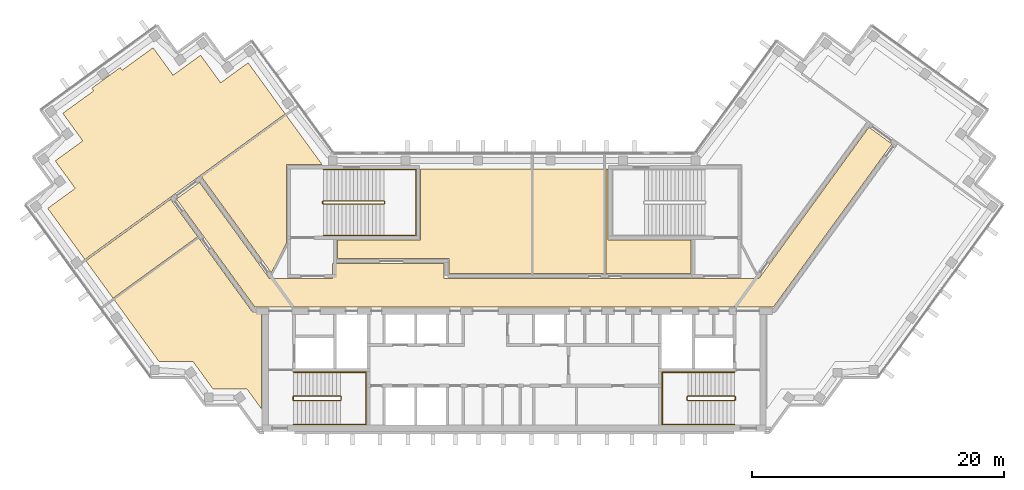
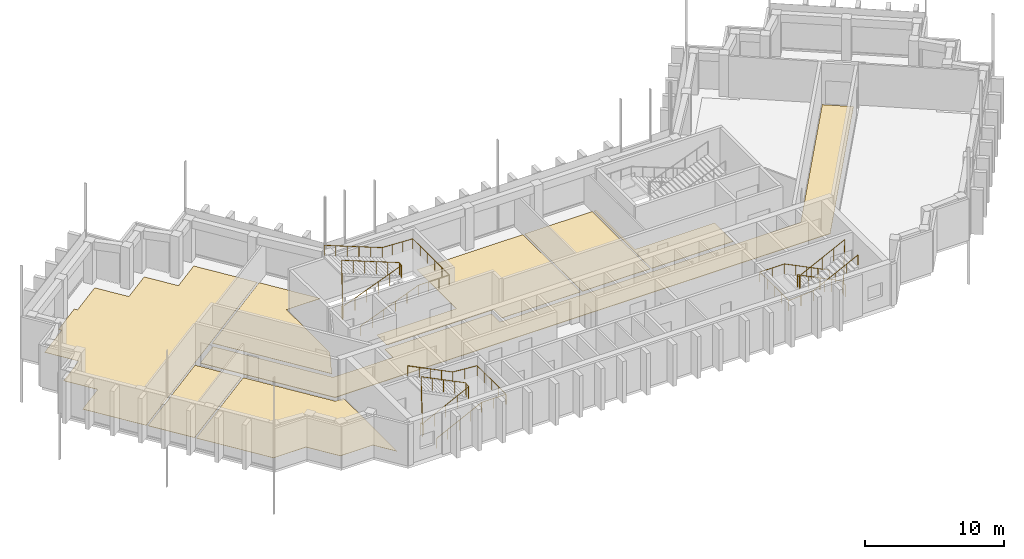
# One storey, part 12 of 13: 8 coverings, 6 railings.
"""IFC4 building model written with IfcOpenShell, lengths in metres."""

from ifc_helpers import new_model, si_unit, direction, frame, origin, origin_2d, place, context, subcontext, project, spatial, polyline, circle, outline, extrude, material, layer, layer_set, type_object, element, save


model = new_model("IFC4")

# Units and contexts
model_context = context("Model", 3, precision=1e-05, world=origin(), true_north=direction((0.0, 1.0)))
body_context = subcontext(model_context, "Body", "Model", "MODEL_VIEW")
ifc_project = project(units=[si_unit("LENGTHUNIT", "METRE"), si_unit("AREAUNIT", "SQUARE_METRE"), si_unit("VOLUMEUNIT", "CUBIC_METRE"), si_unit("PLANEANGLEUNIT", "RADIAN"), si_unit("MASSUNIT", "GRAM", prefix="KILO")], contexts=[model_context])

# Site, building, storey
site_placement = place(None, origin())
site = spatial("IfcSite", under=ifc_project, at=site_placement, CompositionType="ELEMENT")
building_placement = place(site_placement, origin())
building = spatial("IfcBuilding", under=site, at=building_placement, Name="Quipu Civic Tower", CompositionType="ELEMENT")
storey_placement = place(building_placement, frame((0.0, 0.0, 285.0)))
storey = spatial("IfcBuildingStorey", under=building, at=storey_placement, Name="L66", CompositionType="ELEMENT", Elevation=285.0)

# Coverings
ifc_material_1 = material(Name="Carpet tile on raised access floor")
ifc_layer_1 = layer(ifc_material_1, 0.02001953125)
ifc_layer_set_1 = layer_set([ifc_layer_1], Name="Carpet tile on raised access floor")
covering_type_1 = type_object("IfcCoveringType", Name="Carpet tile floor finish 20", PredefinedType="FLOORING", material=ifc_layer_set_1)
covering_1_placement = place(storey_placement, origin())
element("IfcCovering", 1, at=covering_1_placement, inside=storey, type_object=covering_type_1, Name="Carpet tile floor finish 20", PredefinedType="FLOORING", context=body_context, shape_type="SweptSolid", body=[
    extrude(outline(polyline([(-24.81201171875, 9.2109375), (-18.089111328125, 14.093994140625), (-15.238037109375, 10.169921875), (-18.070068359375, 10.1689453125), (-18.070068359375, 3.94189453125), (-19.27197265625, 1.583984375), (-24.81201171875, 9.2109375)])), origin(), (0.0, 0.0, 1.0), 0.02001953125),
])
covering_2_placement = place(storey_placement, origin())
element("IfcCovering", 2, at=covering_2_placement, inside=storey, type_object=covering_type_1, Name="Carpet tile floor finish 20", PredefinedType="FLOORING", context=body_context, shape_type="SweptSolid", body=[
    extrude(outline(polyline([(-31.758056640625, -0.5390625), (-25.034912109375, 4.344970703125), (-20.77490234375, -1.51904296875), (-20.070068359375, -1.52001953125), (-20.070068359375, -9.195068359375), (-21.196044921875, -7.64599609375), (-23.89501953125, -7.64599609375), (-25.48193359375, -5.4619140625), (-28.181884765625, -5.4609375), (-31.758056640625, -0.5390625)])), origin(), (0.0, 0.0, 1.0), 0.02001953125),
])
covering_3_placement = place(storey_placement, origin())
element("IfcCovering", 3, at=covering_3_placement, inside=storey, type_object=covering_type_1, Name="Carpet tile floor finish 20", PredefinedType="FLOORING", context=body_context, shape_type="SweptSolid", body=[
    extrude(outline(polyline([(-14.030029296875, 2.719970703125), (-14.030029296875, 4.179931640625), (-7.430908203125, 4.180908203125), (-7.429931640625, 9.830078125), (1.368896484375, 9.830078125), (1.368896484375, 1.52001953125), (-5.179931640625, 1.52001953125), (-5.181884765625, 2.719970703125), (-14.030029296875, 2.719970703125)])), origin(), (0.0, 0.0, 1.0), 0.02001953125),
])
covering_4_placement = place(storey_placement, origin())
element("IfcCovering", 4, at=covering_4_placement, inside=storey, type_object=covering_type_1, Name="Carpet tile floor finish 20", PredefinedType="FLOORING", context=body_context, shape_type="SweptSolid", body=[
    extrude(outline(polyline([(-37.02197265625, 6.7060546875), (-34.839111328125, 8.291015625), (-36.425048828125, 10.47607421875), (-34.240966796875, 12.06396484375), (-35.826904296875, 14.248046875), (-33.3701171875, 16.032958984375), (-33.52197265625, 16.2451171875), (-31.27099609375, 17.8798828125), (-31.116943359375, 17.6708984375), (-28.658935546875, 19.455078125), (-27.073974609375, 17.27197265625), (-24.887939453125, 18.85791015625), (-23.301025390625, 16.675048828125), (-21.116943359375, 18.260986328125), (-18.172119140625, 14.20703125), (-34.077880859375, 2.652099609375), (-37.02197265625, 6.7060546875)])), origin(), (0.0, 0.0, 1.0), 0.02001953125),
])
ifc_material_2 = material(Name="Ceramic floor tile")
ifc_layer_2 = layer(ifc_material_2, 0.030029296875)
ifc_layer_set_2 = layer_set([ifc_layer_2], Name="Ceramic floor tile")
covering_type_2 = type_object("IfcCoveringType", Name="Ceramic tile floor finish 30", PredefinedType="FLOORING", material=ifc_layer_set_2)
covering_5_placement = place(storey_placement, origin())
element("IfcCovering", 5, at=covering_5_placement, inside=storey, type_object=covering_type_2, Name="Ceramic tile floor finish 30", PredefinedType="FLOORING", context=body_context, shape_type="SweptSolid", body=[
    extrude(outline(polyline([(1.510009765625, 9.830078125), (7.1279296875, 9.830078125), (7.1279296875, 1.52001953125), (1.510009765625, 1.52001953125), (1.510009765625, 9.830078125)])), origin(), (0.0, 0.0, 1.0), 0.030029296875),
])
covering_6_placement = place(storey_placement, origin())
element("IfcCovering", 6, at=covering_6_placement, inside=storey, type_object=covering_type_2, Name="Ceramic tile floor finish 30", PredefinedType="FLOORING", context=body_context, shape_type="SweptSolid", body=[
    extrude(outline(polyline([(7.26806640625, 1.52001953125), (7.26806640625, 9.830078125), (7.429931640625, 9.830078125), (7.429931640625, 4.180908203125), (14.030029296875, 4.179931640625), (14.030029296875, 1.52001953125), (7.26806640625, 1.52001953125)])), origin(), (0.0, 0.0, 1.0), 0.030029296875),
])
covering_7_placement = place(storey_placement, origin())
element("IfcCovering", 7, at=covering_7_placement, inside=storey, type_object=covering_type_2, Name="Ceramic tile floor finish 30", PredefinedType="FLOORING", context=body_context, shape_type="SweptSolid", body=[
    extrude(outline(polyline([(-33.9951171875, 2.5390625), (-27.27197265625, 7.423095703125), (-25.117919921875, 4.4580078125), (-31.841064453125, -0.426025390625), (-33.9951171875, 2.5390625)])), origin(), (0.0, 0.0, 1.0), 0.030029296875),
])

# Railings
ifc_material_3 = material(Name="Stainless steel", Category="steel")
railing_type_1 = type_object("IfcRailingType", Name="Stair guard 1100", PredefinedType="GUARDRAIL", material=ifc_material_3)
railing_1_placement = place(storey_placement, frame((-17.5, -8.550048828125, 0.15380859375)))
element("IfcRailing", 8, at=railing_1_placement, inside=storey, type_object=railing_type_1, Name="Stair 1 guard", PredefinedType="GUARDRAIL", context=body_context, shape_type="SweptSolid", body=[
    extrude(circle(Radius=0.02392578125, at=origin_2d()), frame((0.0, 0.0, 1.076171875), z_axis=(0.895751851347, 0.0, 0.444554407028), x_axis=(0.0, 1.0, 0.0)), (0.0, 0.0, 1.0), 4.15283203125),
    extrude(circle(Radius=0.02392578125, at=origin_2d()), frame((3.719970703125, 0.0, 2.92236328125), z_axis=(0.707106781187, 0.707106781187, 0.0), x_axis=(-0.707106781187, 0.707106781187, 0.0)), (0.0, 0.0, 1.0), 0.07080078125),
    extrude(circle(Radius=0.02392578125, at=origin_2d()), frame((3.77001953125, 0.050048828125, 2.92236328125), z_axis=(0.0, 1.0, 0.0), x_axis=(-1.0, 0.0, 0.0)), (0.0, 0.0, 1.0), 0.25),
    extrude(circle(Radius=0.02392578125, at=origin_2d()), frame((3.77001953125, 0.300048828125, 2.92236328125), z_axis=(-0.295599637079, 0.295599637079, 0.908428152975), x_axis=(-0.707106781187, -0.707106781187, 0.0)), (0.0, 0.0, 1.0), 0.16943359375),
    extrude(circle(Radius=0.02392578125, at=origin_2d()), frame((3.719970703125, 0.35009765625, 3.076171875), z_axis=(-0.895751851347, 0.0, 0.444554407028), x_axis=(0.0, -1.0, 0.0)), (0.0, 0.0, 1.0), 4.15283203125),
    extrude(circle(Radius=0.02392578125, at=origin_2d()), frame((0.0, 0.35009765625, 4.92236328125), z_axis=(-0.012476181752, -0.074796231092, -0.997120789425), x_axis=(0.986372223864, -0.164529134168, 0.0)), (0.0, 0.0, 1.0), 4.011474609375),
    extrude(circle(Radius=0.02392578125, at=origin_2d()), frame((-0.050048828125, 0.050048828125, 0.92236328125), z_axis=(0.0, 1.0, 0.0), x_axis=(-1.0, 0.0, 0.0)), (0.0, 0.0, 1.0), 0.25),
    extrude(circle(Radius=0.02099609375, at=origin_2d()), origin(), (0.0, 0.0, 1.0), 1.052001953125),
    extrude(circle(Radius=0.02099609375, at=origin_2d()), frame((0.929931640625, 0.0, 0.46142578125)), (0.0, 0.0, 1.0), 1.052001953125),
    extrude(circle(Radius=0.02099609375, at=origin_2d()), frame((1.85986328125, 0.0, 0.923095703125)), (0.0, 0.0, 1.0), 1.052001953125),
    extrude(circle(Radius=0.02099609375, at=origin_2d()), frame((2.7900390625, 0.0, 1.384765625)), (0.0, 0.0, 1.0), 1.052001953125),
    extrude(circle(Radius=0.02099609375, at=origin_2d()), frame((3.719970703125, 0.0, 1.84619140625)), (0.0, 0.0, 1.0), 1.052001953125),
    extrude(circle(Radius=0.02099609375, at=origin_2d()), frame((3.77001953125, 0.050048828125, 1.84619140625)), (0.0, 0.0, 1.0), 1.052001953125),
    extrude(circle(Radius=0.02099609375, at=origin_2d()), frame((3.77001953125, 0.300048828125, 1.84619140625)), (0.0, 0.0, 1.0), 1.052001953125),
    extrude(circle(Radius=0.02099609375, at=origin_2d()), frame((3.719970703125, 0.35009765625, 2.0)), (0.0, 0.0, 1.0), 1.052001953125),
    extrude(circle(Radius=0.02099609375, at=origin_2d()), frame((2.7900390625, 0.35009765625, 2.46142578125)), (0.0, 0.0, 1.0), 1.052001953125),
    extrude(circle(Radius=0.02099609375, at=origin_2d()), frame((1.85986328125, 0.35009765625, 2.923095703125)), (0.0, 0.0, 1.0), 1.052001953125),
    extrude(circle(Radius=0.02099609375, at=origin_2d()), frame((0.929931640625, 0.35009765625, 3.384765625)), (0.0, 0.0, 1.0), 1.052001953125),
    extrude(circle(Radius=0.02099609375, at=origin_2d()), frame((0.0, 0.35009765625, 3.84619140625)), (0.0, 0.0, 1.0), 1.052001953125),
    extrude(circle(Radius=0.02099609375, at=origin_2d()), frame((-0.012451171875, 0.275146484375, 2.84619140625)), (0.0, 0.0, 1.0), 1.052001953125),
    extrude(circle(Radius=0.02099609375, at=origin_2d()), frame((-0.02490234375, 0.2001953125, 1.84619140625)), (0.0, 0.0, 1.0), 1.052001953125),
    extrude(circle(Radius=0.02099609375, at=origin_2d()), frame((-0.03759765625, 0.125, 0.84619140625)), (0.0, 0.0, 1.0), 1.052001953125),
    extrude(circle(Radius=0.02099609375, at=origin_2d()), frame((-0.050048828125, 0.050048828125, -0.15380859375)), (0.0, 0.0, 1.0), 1.052001953125),
    extrude(circle(Radius=0.02099609375, at=origin_2d()), frame((-0.050048828125, 0.300048828125, -0.15380859375)), (0.0, 0.0, 1.0), 1.052001953125),
])
railing_2_placement = place(storey_placement, frame((17.5, -8.199951171875, 0.15380859375)))
element("IfcRailing", 9, at=railing_2_placement, inside=storey, type_object=railing_type_1, Name="Stair 2 guard", PredefinedType="GUARDRAIL", context=body_context, shape_type="SweptSolid", body=[
    extrude(circle(Radius=0.02392578125, at=origin_2d()), frame((0.0, 0.0, 1.076171875), z_axis=(-0.895751851347, 0.0, 0.444554407028), x_axis=(0.0, -1.0, 0.0)), (0.0, 0.0, 1.0), 4.15283203125),
    extrude(circle(Radius=0.02392578125, at=origin_2d()), frame((-3.719970703125, 0.0, 2.92236328125), z_axis=(-0.707106781187, -0.707106781187, 0.0), x_axis=(0.707106781187, -0.707106781187, 0.0)), (0.0, 0.0, 1.0), 0.07080078125),
    extrude(circle(Radius=0.02392578125, at=origin_2d()), frame((-3.77001953125, -0.050048828125, 2.92236328125), z_axis=(0.0, -1.0, 0.0), x_axis=(1.0, 0.0, 0.0)), (0.0, 0.0, 1.0), 0.25),
    extrude(circle(Radius=0.02392578125, at=origin_2d()), frame((-3.77001953125, -0.300048828125, 2.92236328125), z_axis=(0.295599637079, -0.295599637079, 0.908428152975), x_axis=(0.707106781187, 0.707106781187, 0.0)), (0.0, 0.0, 1.0), 0.16943359375),
    extrude(circle(Radius=0.02392578125, at=origin_2d()), frame((-3.719970703125, -0.35009765625, 3.076171875), z_axis=(0.895751851347, 0.0, 0.444554407028), x_axis=(0.0, 1.0, 0.0)), (0.0, 0.0, 1.0), 4.15283203125),
    extrude(circle(Radius=0.02392578125, at=origin_2d()), frame((0.0, -0.35009765625, 4.92236328125), z_axis=(0.012476181752, 0.074796231092, -0.997120789425), x_axis=(-0.986372223864, 0.164529134168, 0.0)), (0.0, 0.0, 1.0), 4.011474609375),
    extrude(circle(Radius=0.02392578125, at=origin_2d()), frame((0.050048828125, -0.050048828125, 0.92236328125), z_axis=(0.0, -1.0, 0.0), x_axis=(1.0, 0.0, 0.0)), (0.0, 0.0, 1.0), 0.25),
    extrude(circle(Radius=0.02099609375, at=origin_2d()), origin(), (0.0, 0.0, 1.0), 1.052001953125),
    extrude(circle(Radius=0.02099609375, at=origin_2d()), frame((-0.929931640625, 0.0, 0.46142578125)), (0.0, 0.0, 1.0), 1.052001953125),
    extrude(circle(Radius=0.02099609375, at=origin_2d()), frame((-1.85986328125, 0.0, 0.923095703125)), (0.0, 0.0, 1.0), 1.052001953125),
    extrude(circle(Radius=0.02099609375, at=origin_2d()), frame((-2.7900390625, 0.0, 1.384765625)), (0.0, 0.0, 1.0), 1.052001953125),
    extrude(circle(Radius=0.02099609375, at=origin_2d()), frame((-3.719970703125, 0.0, 1.84619140625)), (0.0, 0.0, 1.0), 1.052001953125),
    extrude(circle(Radius=0.02099609375, at=origin_2d()), frame((-3.77001953125, -0.050048828125, 1.84619140625)), (0.0, 0.0, 1.0), 1.052001953125),
    extrude(circle(Radius=0.02099609375, at=origin_2d()), frame((-3.77001953125, -0.300048828125, 1.84619140625)), (0.0, 0.0, 1.0), 1.052001953125),
    extrude(circle(Radius=0.02099609375, at=origin_2d()), frame((-3.719970703125, -0.35009765625, 2.0)), (0.0, 0.0, 1.0), 1.052001953125),
    extrude(circle(Radius=0.02099609375, at=origin_2d()), frame((-2.7900390625, -0.35009765625, 2.46142578125)), (0.0, 0.0, 1.0), 1.052001953125),
    extrude(circle(Radius=0.02099609375, at=origin_2d()), frame((-1.85986328125, -0.35009765625, 2.923095703125)), (0.0, 0.0, 1.0), 1.052001953125),
    extrude(circle(Radius=0.02099609375, at=origin_2d()), frame((-0.929931640625, -0.35009765625, 3.384765625)), (0.0, 0.0, 1.0), 1.052001953125),
    extrude(circle(Radius=0.02099609375, at=origin_2d()), frame((0.0, -0.35009765625, 3.84619140625)), (0.0, 0.0, 1.0), 1.052001953125),
    extrude(circle(Radius=0.02099609375, at=origin_2d()), frame((0.012451171875, -0.275146484375, 2.84619140625)), (0.0, 0.0, 1.0), 1.052001953125),
    extrude(circle(Radius=0.02099609375, at=origin_2d()), frame((0.02490234375, -0.2001953125, 1.84619140625)), (0.0, 0.0, 1.0), 1.052001953125),
    extrude(circle(Radius=0.02099609375, at=origin_2d()), frame((0.03759765625, -0.125, 0.84619140625)), (0.0, 0.0, 1.0), 1.052001953125),
    extrude(circle(Radius=0.02099609375, at=origin_2d()), frame((0.050048828125, -0.050048828125, -0.15380859375)), (0.0, 0.0, 1.0), 1.052001953125),
    extrude(circle(Radius=0.02099609375, at=origin_2d()), frame((0.050048828125, -0.300048828125, -0.15380859375)), (0.0, 0.0, 1.0), 1.052001953125),
])
railing_3_placement = place(storey_placement, frame((-15.14990234375, 7.050048828125, 0.11767578125)))
element("IfcRailing", 10, at=railing_3_placement, inside=storey, type_object=railing_type_1, Name="Stair 3 guard", PredefinedType="GUARDRAIL", context=body_context, shape_type="SweptSolid", body=[
    extrude(circle(Radius=0.02392578125, at=origin_2d()), frame((0.0, 0.0, 1.076171875), z_axis=(0.930970042603, 0.0, 0.365095576219), x_axis=(0.0, 1.0, 0.0)), (0.0, 0.0, 1.0), 5.15576171875),
    extrude(circle(Radius=0.02392578125, at=origin_2d()), frame((4.7998046875, 0.0, 2.95849609375), z_axis=(0.707106781187, 0.707106781187, 0.0), x_axis=(-0.707106781187, 0.707106781187, 0.0)), (0.0, 0.0, 1.0), 0.07080078125),
    extrude(circle(Radius=0.02392578125, at=origin_2d()), frame((4.849853515625, 0.050048828125, 2.95849609375), z_axis=(0.0, 1.0, 0.0), x_axis=(-1.0, 0.0, 0.0)), (0.0, 0.0, 1.0), 0.14990234375),
    extrude(circle(Radius=0.02392578125, at=origin_2d()), frame((4.849853515625, 0.199951171875, 2.95849609375), z_axis=(-0.364463019033, 0.364463019033, 0.856932561824), x_axis=(-0.707106781187, -0.707106781187, 0.0)), (0.0, 0.0, 1.0), 0.13720703125),
    extrude(circle(Radius=0.02392578125, at=origin_2d()), frame((4.7998046875, 0.25, 3.076171875), z_axis=(-0.930970042603, 0.0, 0.365095576219), x_axis=(0.0, -1.0, 0.0)), (0.0, 0.0, 1.0), 5.15576171875),
    extrude(circle(Radius=0.02392578125, at=origin_2d()), frame((0.0, 0.25, 4.95849609375), z_axis=(-0.012495627992, -0.049921557685, -0.998674970829), x_axis=(0.970072785993, -0.242814311512, 0.0)), (0.0, 0.0, 1.0), 4.00537109375),
    extrude(circle(Radius=0.02392578125, at=origin_2d()), frame((-0.050048828125, 0.050048828125, 0.95849609375), z_axis=(0.0, 1.0, 0.0), x_axis=(-1.0, 0.0, 0.0)), (0.0, 0.0, 1.0), 0.14990234375),
    extrude(circle(Radius=0.02099609375, at=origin_2d()), origin(), (0.0, 0.0, 1.0), 1.052001953125),
    extrude(circle(Radius=0.02099609375, at=origin_2d()), frame((0.9599609375, 0.0, 0.37646484375)), (0.0, 0.0, 1.0), 1.052001953125),
    extrude(circle(Radius=0.02099609375, at=origin_2d()), frame((1.919921875, 0.0, 0.7529296875)), (0.0, 0.0, 1.0), 1.052001953125),
    extrude(circle(Radius=0.02099609375, at=origin_2d()), frame((2.8798828125, 0.0, 1.12939453125)), (0.0, 0.0, 1.0), 1.052001953125),
    extrude(circle(Radius=0.02099609375, at=origin_2d()), frame((3.83984375, 0.0, 1.505859375)), (0.0, 0.0, 1.0), 1.052001953125),
    extrude(circle(Radius=0.02099609375, at=origin_2d()), frame((4.7998046875, 0.0, 1.88232421875)), (0.0, 0.0, 1.0), 1.052001953125),
    extrude(circle(Radius=0.02099609375, at=origin_2d()), frame((4.849853515625, 0.050048828125, 1.88232421875)), (0.0, 0.0, 1.0), 1.052001953125),
    extrude(circle(Radius=0.02099609375, at=origin_2d()), frame((4.849853515625, 0.199951171875, 1.88232421875)), (0.0, 0.0, 1.0), 1.052001953125),
    extrude(circle(Radius=0.02099609375, at=origin_2d()), frame((4.7998046875, 0.25, 2.0)), (0.0, 0.0, 1.0), 1.052001953125),
    extrude(circle(Radius=0.02099609375, at=origin_2d()), frame((3.83984375, 0.25, 2.37646484375)), (0.0, 0.0, 1.0), 1.052001953125),
    extrude(circle(Radius=0.02099609375, at=origin_2d()), frame((2.8798828125, 0.25, 2.7529296875)), (0.0, 0.0, 1.0), 1.052001953125),
    extrude(circle(Radius=0.02099609375, at=origin_2d()), frame((1.919921875, 0.25, 3.12939453125)), (0.0, 0.0, 1.0), 1.052001953125),
    extrude(circle(Radius=0.02099609375, at=origin_2d()), frame((0.9599609375, 0.25, 3.505859375)), (0.0, 0.0, 1.0), 1.052001953125),
    extrude(circle(Radius=0.02099609375, at=origin_2d()), frame((0.0, 0.25, 3.88232421875)), (0.0, 0.0, 1.0), 1.052001953125),
    extrude(circle(Radius=0.02099609375, at=origin_2d()), frame((-0.012451171875, 0.199951171875, 2.88232421875)), (0.0, 0.0, 1.0), 1.052001953125),
    extrude(circle(Radius=0.02099609375, at=origin_2d()), frame((-0.02490234375, 0.14990234375, 1.88232421875)), (0.0, 0.0, 1.0), 1.052001953125),
    extrude(circle(Radius=0.02099609375, at=origin_2d()), frame((-0.03759765625, 0.10009765625, 0.88232421875)), (0.0, 0.0, 1.0), 1.052001953125),
    extrude(circle(Radius=0.02099609375, at=origin_2d()), frame((-0.050048828125, 0.050048828125, -0.11767578125)), (0.0, 0.0, 1.0), 1.052001953125),
    extrude(circle(Radius=0.02099609375, at=origin_2d()), frame((-0.050048828125, 0.199951171875, -0.11767578125)), (0.0, 0.0, 1.0), 1.052001953125),
])
ifc_material_4 = material(Name="Stainless steel", Category="steel")
railing_type_2 = type_object("IfcRailingType", Name="Stair handrail", PredefinedType="HANDRAIL", material=ifc_material_4)
railing_4_placement = place(storey_placement, frame((-17.5, -10.449951171875, 0.15380859375)))
element("IfcRailing", 11, at=railing_4_placement, inside=storey, type_object=railing_type_2, Name="Stair 1 handrail", PredefinedType="HANDRAIL", context=body_context, shape_type="SweptSolid", body=[
    extrude(circle(Radius=0.02392578125, at=origin_2d()), frame((0.0, 0.0, 0.8759765625), z_axis=(0.895751851347, 0.0, 0.444554407028), x_axis=(0.0, 1.0, 0.0)), (0.0, 0.0, 1.0), 4.15283203125),
    extrude(circle(Radius=0.02392578125, at=origin_2d()), frame((3.719970703125, 0.0, 2.72216796875), z_axis=(1.0, 0.0, 0.0), x_axis=(0.0, 1.0, 0.0)), (0.0, 0.0, 1.0), 2.030029296875),
    extrude(circle(Radius=0.02392578125, at=origin_2d()), frame((5.75, 0.0, 2.72216796875), z_axis=(0.0, 1.0, 0.0), x_axis=(-1.0, 0.0, 0.0)), (0.0, 0.0, 1.0), 4.14990234375),
    extrude(circle(Radius=0.02392578125, at=origin_2d()), frame((5.75, 4.14990234375, 2.72216796875), z_axis=(-0.997142003663, 0.0, 0.075550145798), x_axis=(0.0, -1.0, 0.0)), (0.0, 0.0, 1.0), 2.035888671875),
    extrude(circle(Radius=0.02392578125, at=origin_2d()), frame((3.719970703125, 4.14990234375, 2.8759765625), z_axis=(-0.895751851347, 0.0, 0.444554407028), x_axis=(0.0, -1.0, 0.0)), (0.0, 0.0, 1.0), 4.15283203125),
    extrude(circle(Radius=0.02099609375, at=origin_2d()), origin(), (0.0, 0.0, 1.0), 0.851806640625),
    extrude(circle(Radius=0.02099609375, at=origin_2d()), frame((0.929931640625, 0.0, 0.46142578125)), (0.0, 0.0, 1.0), 0.851806640625),
    extrude(circle(Radius=0.02099609375, at=origin_2d()), frame((1.85986328125, 0.0, 0.923095703125)), (0.0, 0.0, 1.0), 0.851806640625),
    extrude(circle(Radius=0.02099609375, at=origin_2d()), frame((2.7900390625, 0.0, 1.384765625)), (0.0, 0.0, 1.0), 0.851806640625),
    extrude(circle(Radius=0.02099609375, at=origin_2d()), frame((3.719970703125, 0.0, 1.84619140625)), (0.0, 0.0, 1.0), 0.851806640625),
    extrude(circle(Radius=0.02099609375, at=origin_2d()), frame((4.73486328125, 0.0, 1.84619140625)), (0.0, 0.0, 1.0), 0.851806640625),
    extrude(circle(Radius=0.02099609375, at=origin_2d()), frame((5.75, 0.0, 1.84619140625)), (0.0, 0.0, 1.0), 0.851806640625),
    extrude(circle(Radius=0.02099609375, at=origin_2d()), frame((5.75, 1.03759765625, 1.84619140625)), (0.0, 0.0, 1.0), 0.851806640625),
    extrude(circle(Radius=0.02099609375, at=origin_2d()), frame((5.75, 2.074951171875, 1.84619140625)), (0.0, 0.0, 1.0), 0.851806640625),
    extrude(circle(Radius=0.02099609375, at=origin_2d()), frame((5.75, 3.1123046875, 1.84619140625)), (0.0, 0.0, 1.0), 0.851806640625),
    extrude(circle(Radius=0.02099609375, at=origin_2d()), frame((5.75, 4.14990234375, 1.84619140625)), (0.0, 0.0, 1.0), 0.851806640625),
    extrude(circle(Radius=0.02099609375, at=origin_2d()), frame((4.73486328125, 4.14990234375, 1.923095703125)), (0.0, 0.0, 1.0), 0.851806640625),
    extrude(circle(Radius=0.02099609375, at=origin_2d()), frame((3.719970703125, 4.14990234375, 2.0)), (0.0, 0.0, 1.0), 0.851806640625),
    extrude(circle(Radius=0.02099609375, at=origin_2d()), frame((2.7900390625, 4.14990234375, 2.46142578125)), (0.0, 0.0, 1.0), 0.851806640625),
    extrude(circle(Radius=0.02099609375, at=origin_2d()), frame((1.85986328125, 4.14990234375, 2.923095703125)), (0.0, 0.0, 1.0), 0.851806640625),
    extrude(circle(Radius=0.02099609375, at=origin_2d()), frame((0.929931640625, 4.14990234375, 3.384765625)), (0.0, 0.0, 1.0), 0.851806640625),
    extrude(circle(Radius=0.02099609375, at=origin_2d()), frame((0.0, 4.14990234375, 3.84619140625)), (0.0, 0.0, 1.0), 0.851806640625),
])
railing_5_placement = place(storey_placement, frame((17.5, -6.300048828125, 0.15380859375)))
element("IfcRailing", 12, at=railing_5_placement, inside=storey, type_object=railing_type_2, Name="Stair 2 handrail", PredefinedType="HANDRAIL", context=body_context, shape_type="SweptSolid", body=[
    extrude(circle(Radius=0.02392578125, at=origin_2d()), frame((0.0, 0.0, 0.8759765625), z_axis=(-0.895751851347, 0.0, 0.444554407028), x_axis=(0.0, -1.0, 0.0)), (0.0, 0.0, 1.0), 4.15283203125),
    extrude(circle(Radius=0.02392578125, at=origin_2d()), frame((-3.719970703125, 0.0, 2.72216796875), z_axis=(-1.0, 0.0, 0.0), x_axis=(0.0, -1.0, 0.0)), (0.0, 0.0, 1.0), 2.030029296875),
    extrude(circle(Radius=0.02392578125, at=origin_2d()), frame((-5.75, 0.0, 2.72216796875), z_axis=(0.0, -1.0, 0.0), x_axis=(1.0, 0.0, 0.0)), (0.0, 0.0, 1.0), 4.14990234375),
    extrude(circle(Radius=0.02392578125, at=origin_2d()), frame((-5.75, -4.14990234375, 2.72216796875), z_axis=(0.997142003663, 0.0, 0.075550145798), x_axis=(0.0, 1.0, 0.0)), (0.0, 0.0, 1.0), 2.035888671875),
    extrude(circle(Radius=0.02392578125, at=origin_2d()), frame((-3.719970703125, -4.14990234375, 2.8759765625), z_axis=(0.895751851347, 0.0, 0.444554407028), x_axis=(0.0, 1.0, 0.0)), (0.0, 0.0, 1.0), 4.15283203125),
    extrude(circle(Radius=0.02099609375, at=origin_2d()), origin(), (0.0, 0.0, 1.0), 0.851806640625),
    extrude(circle(Radius=0.02099609375, at=origin_2d()), frame((-0.929931640625, 0.0, 0.46142578125)), (0.0, 0.0, 1.0), 0.851806640625),
    extrude(circle(Radius=0.02099609375, at=origin_2d()), frame((-1.85986328125, 0.0, 0.923095703125)), (0.0, 0.0, 1.0), 0.851806640625),
    extrude(circle(Radius=0.02099609375, at=origin_2d()), frame((-2.7900390625, 0.0, 1.384765625)), (0.0, 0.0, 1.0), 0.851806640625),
    extrude(circle(Radius=0.02099609375, at=origin_2d()), frame((-3.719970703125, 0.0, 1.84619140625)), (0.0, 0.0, 1.0), 0.851806640625),
    extrude(circle(Radius=0.02099609375, at=origin_2d()), frame((-4.73486328125, 0.0, 1.84619140625)), (0.0, 0.0, 1.0), 0.851806640625),
    extrude(circle(Radius=0.02099609375, at=origin_2d()), frame((-5.75, 0.0, 1.84619140625)), (0.0, 0.0, 1.0), 0.851806640625),
    extrude(circle(Radius=0.02099609375, at=origin_2d()), frame((-5.75, -1.03759765625, 1.84619140625)), (0.0, 0.0, 1.0), 0.851806640625),
    extrude(circle(Radius=0.02099609375, at=origin_2d()), frame((-5.75, -2.074951171875, 1.84619140625)), (0.0, 0.0, 1.0), 0.851806640625),
    extrude(circle(Radius=0.02099609375, at=origin_2d()), frame((-5.75, -3.1123046875, 1.84619140625)), (0.0, 0.0, 1.0), 0.851806640625),
    extrude(circle(Radius=0.02099609375, at=origin_2d()), frame((-5.75, -4.14990234375, 1.84619140625)), (0.0, 0.0, 1.0), 0.851806640625),
    extrude(circle(Radius=0.02099609375, at=origin_2d()), frame((-4.73486328125, -4.14990234375, 1.923095703125)), (0.0, 0.0, 1.0), 0.851806640625),
    extrude(circle(Radius=0.02099609375, at=origin_2d()), frame((-3.719970703125, -4.14990234375, 2.0)), (0.0, 0.0, 1.0), 0.851806640625),
    extrude(circle(Radius=0.02099609375, at=origin_2d()), frame((-2.7900390625, -4.14990234375, 2.46142578125)), (0.0, 0.0, 1.0), 0.851806640625),
    extrude(circle(Radius=0.02099609375, at=origin_2d()), frame((-1.85986328125, -4.14990234375, 2.923095703125)), (0.0, 0.0, 1.0), 0.851806640625),
    extrude(circle(Radius=0.02099609375, at=origin_2d()), frame((-0.929931640625, -4.14990234375, 3.384765625)), (0.0, 0.0, 1.0), 0.851806640625),
    extrude(circle(Radius=0.02099609375, at=origin_2d()), frame((0.0, -4.14990234375, 3.84619140625)), (0.0, 0.0, 1.0), 0.851806640625),
])
railing_6_placement = place(storey_placement, frame((-15.14990234375, 4.550048828125, 0.11767578125)))
element("IfcRailing", 13, at=railing_6_placement, inside=storey, type_object=railing_type_2, Name="Stair 3 handrail", PredefinedType="HANDRAIL", context=body_context, shape_type="SweptSolid", body=[
    extrude(circle(Radius=0.02392578125, at=origin_2d()), frame((0.0, 0.0, 0.8759765625), z_axis=(0.930970042603, 0.0, 0.365095576219), x_axis=(0.0, 1.0, 0.0)), (0.0, 0.0, 1.0), 5.15576171875),
    extrude(circle(Radius=0.02392578125, at=origin_2d()), frame((4.7998046875, 0.0, 2.75830078125), z_axis=(1.0, 0.0, 0.0), x_axis=(0.0, 1.0, 0.0)), (0.0, 0.0, 1.0), 2.550048828125),
    extrude(circle(Radius=0.02392578125, at=origin_2d()), frame((7.349853515625, 0.0, 2.75830078125), z_axis=(0.0, 1.0, 0.0), x_axis=(-1.0, 0.0, 0.0)), (0.0, 0.0, 1.0), 5.25),
    extrude(circle(Radius=0.02392578125, at=origin_2d()), frame((7.349853515625, 5.25, 2.75830078125), z_axis=(-0.998936948642, 0.0, 0.04609742549), x_axis=(0.0, -1.0, 0.0)), (0.0, 0.0, 1.0), 2.552734375),
    extrude(circle(Radius=0.02392578125, at=origin_2d()), frame((4.7998046875, 5.25, 2.8759765625), z_axis=(-0.930970042603, 0.0, 0.365095576219), x_axis=(0.0, -1.0, 0.0)), (0.0, 0.0, 1.0), 5.15576171875),
    extrude(circle(Radius=0.02099609375, at=origin_2d()), origin(), (0.0, 0.0, 1.0), 0.851806640625),
    extrude(circle(Radius=0.02099609375, at=origin_2d()), frame((0.9599609375, 0.0, 0.37646484375)), (0.0, 0.0, 1.0), 0.851806640625),
    extrude(circle(Radius=0.02099609375, at=origin_2d()), frame((1.919921875, 0.0, 0.7529296875)), (0.0, 0.0, 1.0), 0.851806640625),
    extrude(circle(Radius=0.02099609375, at=origin_2d()), frame((2.8798828125, 0.0, 1.12939453125)), (0.0, 0.0, 1.0), 0.851806640625),
    extrude(circle(Radius=0.02099609375, at=origin_2d()), frame((3.83984375, 0.0, 1.505859375)), (0.0, 0.0, 1.0), 0.851806640625),
    extrude(circle(Radius=0.02099609375, at=origin_2d()), frame((4.7998046875, 0.0, 1.88232421875)), (0.0, 0.0, 1.0), 0.851806640625),
    extrude(circle(Radius=0.02099609375, at=origin_2d()), frame((5.64990234375, 0.0, 1.88232421875)), (0.0, 0.0, 1.0), 0.851806640625),
    extrude(circle(Radius=0.02099609375, at=origin_2d()), frame((6.499755859375, 0.0, 1.88232421875)), (0.0, 0.0, 1.0), 0.851806640625),
    extrude(circle(Radius=0.02099609375, at=origin_2d()), frame((7.349853515625, 0.0, 1.88232421875)), (0.0, 0.0, 1.0), 0.851806640625),
    extrude(circle(Radius=0.02099609375, at=origin_2d()), frame((7.349853515625, 1.050048828125, 1.88232421875)), (0.0, 0.0, 1.0), 0.851806640625),
    extrude(circle(Radius=0.02099609375, at=origin_2d()), frame((7.349853515625, 2.10009765625, 1.88232421875)), (0.0, 0.0, 1.0), 0.851806640625),
    extrude(circle(Radius=0.02099609375, at=origin_2d()), frame((7.349853515625, 3.14990234375, 1.88232421875)), (0.0, 0.0, 1.0), 0.851806640625),
    extrude(circle(Radius=0.02099609375, at=origin_2d()), frame((7.349853515625, 4.199951171875, 1.88232421875)), (0.0, 0.0, 1.0), 0.851806640625),
    extrude(circle(Radius=0.02099609375, at=origin_2d()), frame((7.349853515625, 5.25, 1.88232421875)), (0.0, 0.0, 1.0), 0.851806640625),
    extrude(circle(Radius=0.02099609375, at=origin_2d()), frame((6.499755859375, 5.25, 1.921630859375)), (0.0, 0.0, 1.0), 0.851806640625),
    extrude(circle(Radius=0.02099609375, at=origin_2d()), frame((5.64990234375, 5.25, 1.960693359375)), (0.0, 0.0, 1.0), 0.851806640625),
    extrude(circle(Radius=0.02099609375, at=origin_2d()), frame((4.7998046875, 5.25, 2.0)), (0.0, 0.0, 1.0), 0.851806640625),
    extrude(circle(Radius=0.02099609375, at=origin_2d()), frame((3.83984375, 5.25, 2.37646484375)), (0.0, 0.0, 1.0), 0.851806640625),
    extrude(circle(Radius=0.02099609375, at=origin_2d()), frame((2.8798828125, 5.25, 2.7529296875)), (0.0, 0.0, 1.0), 0.851806640625),
    extrude(circle(Radius=0.02099609375, at=origin_2d()), frame((1.919921875, 5.25, 3.12939453125)), (0.0, 0.0, 1.0), 0.851806640625),
    extrude(circle(Radius=0.02099609375, at=origin_2d()), frame((0.9599609375, 5.25, 3.505859375)), (0.0, 0.0, 1.0), 0.851806640625),
    extrude(circle(Radius=0.02099609375, at=origin_2d()), frame((0.0, 5.25, 3.88232421875)), (0.0, 0.0, 1.0), 0.851806640625),
])

# Covering
ifc_material_5 = material(Name="Terrazzo floor finish")
ifc_layer_3 = layer(ifc_material_5, 0.0400390625)
ifc_layer_set_3 = layer_set([ifc_layer_3], Name="Terrazzo floor finish")
covering_type_3 = type_object("IfcCoveringType", Name="Terrazzo floor finish 40", PredefinedType="FLOORING", material=ifc_layer_set_3)
covering_8_placement = place(storey_placement, origin())
element("IfcCovering", 14, at=covering_8_placement, inside=storey, type_object=covering_type_3, Name="Terrazzo floor finish 40", PredefinedType="FLOORING", context=body_context, shape_type="SweptSolid", body=[
    extrude(outline(polyline([(19.425048828125, 1.1298828125), (28.155029296875, 13.14697265625), (29.98291015625, 11.819091796875), (20.574951171875, -1.1298828125), (-20.574951171875, -1.1298828125), (-26.80908203125, 7.450927734375), (-24.98095703125, 8.778076171875), (-19.425048828125, 1.1298828125), (-14.429931640625, 1.1298828125), (-14.429931640625, 2.330078125), (-5.570068359375, 2.330078125), (-5.570068359375, 1.1298828125), (19.425048828125, 1.1298828125)])), origin(), (0.0, 0.0, 1.0), 0.0400390625),
])

save(model, "model.ifc")
